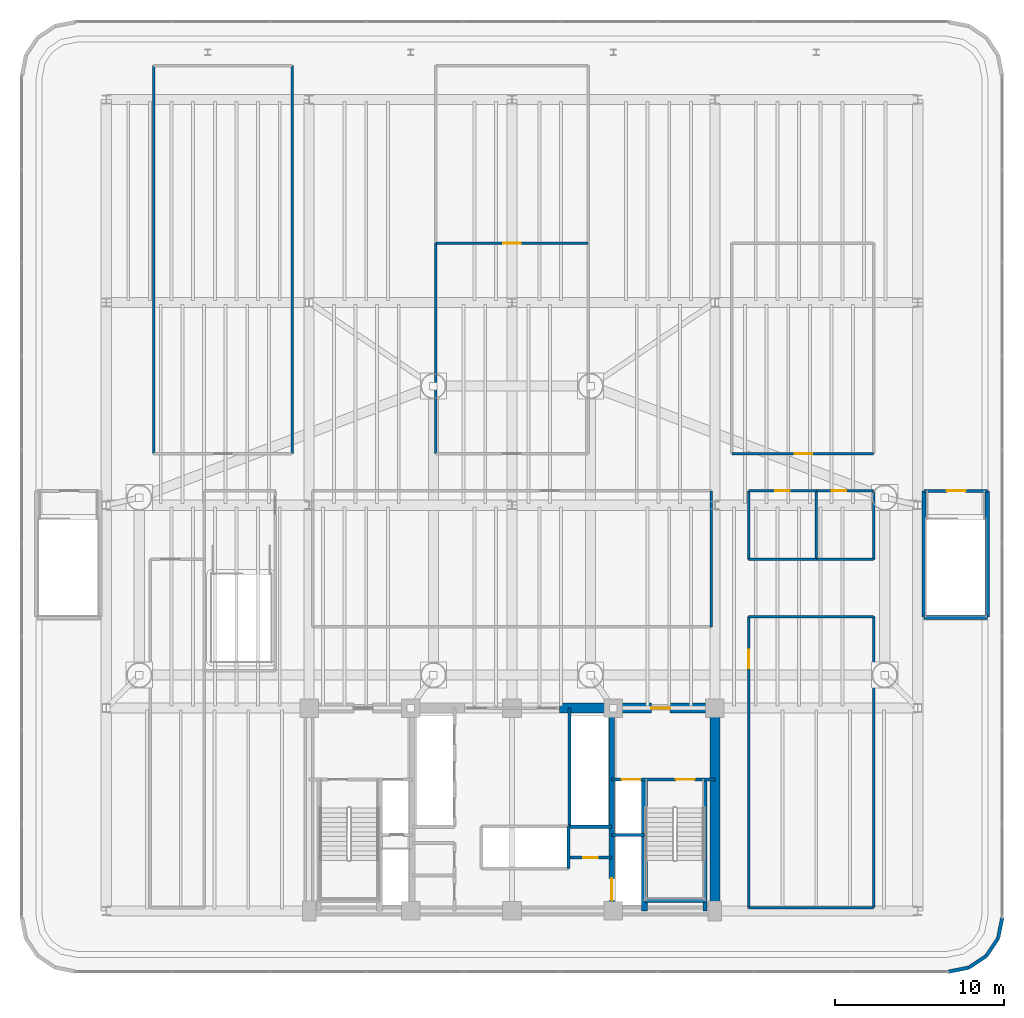
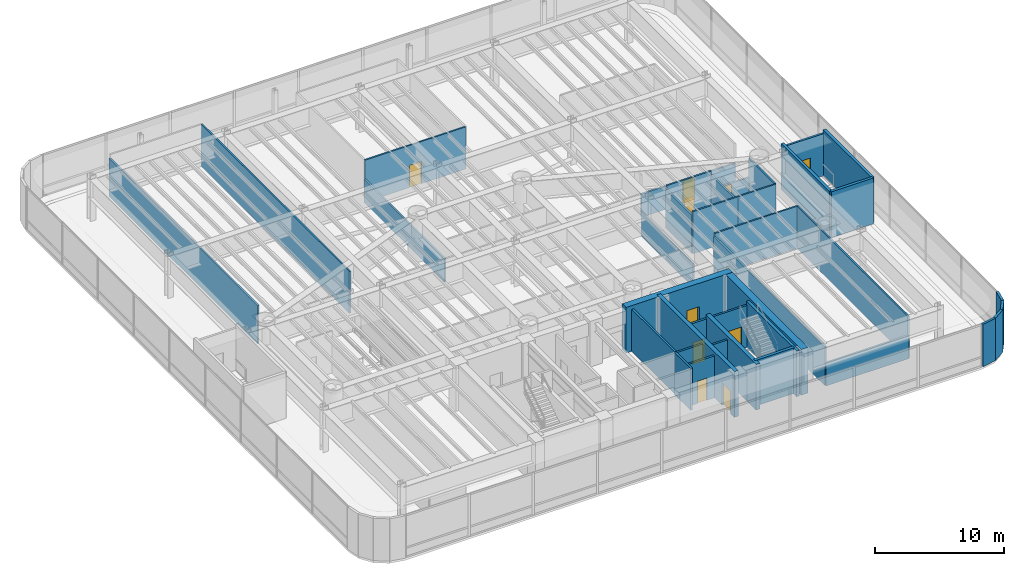
# One storey, part 14 of 18: 37 walls, 11 doors, 11 openings.
"""IFC4 building model written with IfcOpenShell, lengths in metres."""

from ifc_helpers import new_model, si_unit, direction, frame, frame_2d, origin, origin_2d, place, context, subcontext, project, spatial, rectangle, extrude, source, transform, mapped, material, layer, layer_set, type_object, element, fill, save


model = new_model("IFC4")

# Units and contexts
model_context = context("Model", 3, precision=1e-05, world=origin(), true_north=direction((0.0, 1.0)))
body_context = subcontext(model_context, "Body", "Model", "MODEL_VIEW")
ifc_project = project(units=[si_unit("LENGTHUNIT", "METRE"), si_unit("AREAUNIT", "SQUARE_METRE"), si_unit("VOLUMEUNIT", "CUBIC_METRE"), si_unit("PLANEANGLEUNIT", "RADIAN"), si_unit("MASSUNIT", "GRAM", prefix="KILO")], contexts=[model_context])

# Site, building, storey
site_placement = place(None, origin())
site = spatial("IfcSite", under=ifc_project, at=site_placement, CompositionType="ELEMENT")
building_placement = place(site_placement, origin())
building = spatial("IfcBuilding", under=site, at=building_placement, Name="Brelvock Crest Care Tower", CompositionType="ELEMENT")
storey_placement = place(building_placement, frame((0.0, 0.0, 22.679931640625)))
storey = spatial("IfcBuildingStorey", under=building, at=storey_placement, Name="L05", CompositionType="ELEMENT", Elevation=22.679931640625)

# Wall
ifc_material_1 = material(Name="Concrete S80 (80 MPa)", Category="concrete")
ifc_layer_1 = layer(ifc_material_1, 0.60009765625, Name="WL-CS1")
ifc_layer_set_1 = layer_set([ifc_layer_1], Name="Concrete S80 (80 MPa)")
wall_type_1 = type_object("IfcWallType", Name="WL-CS1", PredefinedType="SHEAR", material=ifc_layer_set_1)
wall_1_placement = place(storey_placement, frame((48.0, 18.0, 0.0), z_axis=(0.0, 0.0, 1.0), x_axis=(0.0, -1.0, 0.0)))
element("IfcWall", 1, at=wall_1_placement, inside=storey, type_object=wall_type_1, Name="L05 Core East Shear Wall", PredefinedType="SHEAR", context=body_context, shape_type="SweptSolid", body=[
    extrude(rectangle(XDim=12.0, YDim=0.60009765625, at=frame_2d((6.0, 0.0))), origin(), (0.0, 0.0, 1.0), 4.320068359375),
])

# Wall, opening, door
wall_2_placement = place(storey_placement, frame((38.800048828125, 18.0, 0.0), z_axis=(0.0, 0.0, 1.0), x_axis=(1.0, 0.0, 0.0)))
wall_2 = element("IfcWall", 2, at=wall_2_placement, inside=storey, type_object=wall_type_1, Name="L05 Core North-East Shear Wall", PredefinedType="SHEAR", context=body_context, shape_type="SweptSolid", body=[
    extrude(rectangle(XDim=9.5, YDim=0.60009765625, at=frame_2d((4.75, 0.0))), origin(), (0.0, 0.0, 1.0), 4.320068359375),
])
opening_1_placement = place(wall_2_placement, frame((5.449951171875, 0.0, 0.0)))
opening_1 = element("IfcOpeningElement", 3, at=opening_1_placement, cuts=wall_2, Name="Opening FD-1", PredefinedType="OPENING", context=body_context, shape_type="SweptSolid", body=[
    extrude(rectangle(XDim=1.10009765625, YDim=2.10009765625, at=origin_2d()), frame((0.550048828125, 0.31005859375, 1.050048828125), z_axis=(0.0, -1.0, 0.0), x_axis=(1.0, 0.0, 0.0)), (0.0, 0.0, 1.0), 0.6201171875),
])
ifc_material_2 = material(Name="Steel Grade 350", Category="steel")
door_type_1 = type_object("IfcDoorType", Name="DR-FFL1", OperationType="NOTDEFINED", PredefinedType="DOOR", material=ifc_material_2)
shared_shape_1 = source(origin(), body_context, "Body", "SweptSolid", [
    extrude(rectangle(XDim=1.10009765625, YDim=2.10009765625, at=origin_2d()), frame((0.550048828125, 0.02490234375, 1.050048828125), z_axis=(0.0, -1.0, 0.0), x_axis=(1.0, 0.0, 0.0)), (0.0, 0.0, 1.0), 0.050048828125),
])
door_1_placement = place(opening_1_placement, origin())
door_1 = element("IfcDoor", 4, at=door_1_placement, inside=storey, type_object=door_type_1, Name="L05 Firefighting Lobby FFL-2 Exit Door", OperationType="SINGLE_SWING_RIGHT", OverallHeight=2.10009765625, OverallWidth=1.10009765625, PredefinedType="DOOR", context=body_context, shape_type="MappedRepresentation", body=[
    mapped(shared_shape_1, transform((0.0, 0.0, 0.0), x_axis=(1.0, 0.0, 0.0), y_axis=(0.0, 1.0, 0.0), z_axis=(0.0, 0.0, 1.0), scale=1.0)),
])
fill(opening_1, door_1)

ifc_layer_2 = layer(ifc_material_1, 0.35009765625, Name="WL-CS5")
ifc_layer_set_2 = layer_set([ifc_layer_2], Name="Concrete S80 (80 MPa)")
wall_type_2 = type_object("IfcWallType", Name="WL-CS5", PredefinedType="SHEAR", material=ifc_layer_set_2)
wall_3_placement = place(storey_placement, frame((41.89990234375, 18.0, 0.0), z_axis=(0.0, 0.0, 1.0), x_axis=(0.0, -1.0, 0.0)))
wall_3 = element("IfcWall", 5, at=wall_3_placement, inside=storey, type_object=wall_type_2, Name="L05 Core Internal Web Wall East", PredefinedType="SHEAR", context=body_context, shape_type="SweptSolid", body=[
    extrude(rectangle(XDim=12.0, YDim=0.35009765625, at=frame_2d((6.0, 0.0))), origin(), (0.0, 0.0, 1.0), 4.320068359375),
])
opening_2_placement = place(wall_3_placement, frame((10.080078125, 0.0, 0.0)))
opening_2 = element("IfcOpeningElement", 6, at=opening_2_placement, cuts=wall_3, Name="Opening LD-S", PredefinedType="OPENING", context=body_context, shape_type="SweptSolid", body=[
    extrude(rectangle(XDim=1.300048828125, YDim=2.10009765625, at=origin_2d()), frame((0.64990234375, 0.18505859375, 1.050048828125), z_axis=(0.0, -1.0, 0.0), x_axis=(1.0, 0.0, 0.0)), (0.0, 0.0, 1.0), 0.3701171875),
])
door_type_2 = type_object("IfcDoorType", Name="DR-LDS1", OperationType="NOTDEFINED", PredefinedType="DOOR", material=ifc_material_2)
shared_shape_2 = source(origin(), body_context, "Body", "SweptSolid", [
    extrude(rectangle(XDim=1.300048828125, YDim=2.10009765625, at=origin_2d()), frame((0.64990234375, 0.02490234375, 1.050048828125), z_axis=(0.0, -1.0, 0.0), x_axis=(1.0, 0.0, 0.0)), (0.0, 0.0, 1.0), 0.050048828125),
])
door_2_placement = place(opening_2_placement, origin())
door_2 = element("IfcDoor", 7, at=door_2_placement, inside=storey, type_object=door_type_2, Name="L05 Clinical Bed Lift SL-1 Landing Door", OperationType="SLIDING_TO_LEFT", OverallHeight=2.10009765625, OverallWidth=1.300048828125, PredefinedType="DOOR", context=body_context, shape_type="MappedRepresentation", body=[
    mapped(shared_shape_2, transform((0.0, 0.0, 0.0), x_axis=(1.0, 0.0, 0.0), y_axis=(0.0, 1.0, 0.0), z_axis=(0.0, 0.0, 1.0), scale=1.0)),
])
fill(opening_2, door_2)

# Walls
wall_4_placement = place(storey_placement, frame((43.85009765625, 6.0, 0.0), z_axis=(0.0, 0.0, 1.0), x_axis=(0.0, 1.0, 0.0)))
element("IfcWall", 8, at=wall_4_placement, inside=storey, type_object=wall_type_2, Name="L05 Core Stair ST-2 West Shear Wall", PredefinedType="SHEAR", context=body_context, shape_type="SweptSolid", body=[
    extrude(rectangle(XDim=7.780029296875, YDim=0.35009765625, at=frame_2d((3.89013671875, 0.0))), origin(), (0.0, 0.0, 1.0), 4.320068359375),
])
ifc_layer_3 = layer(ifc_material_1, 0.25, Name="WL-CS6")
ifc_layer_set_3 = layer_set([ifc_layer_3], Name="Concrete S80 (80 MPa)")
wall_type_3 = type_object("IfcWallType", Name="WL-CS6", PredefinedType="SHEAR", material=ifc_layer_set_3)
wall_5_placement = place(storey_placement, frame((60.3798828125, 23.3798828125, 0.0), z_axis=(0.0, 0.0, 1.0), x_axis=(1.0, 0.0, 0.0)))
element("IfcWall", 9, at=wall_5_placement, inside=storey, type_object=wall_type_3, Name="L05 Podium Stair ST-4 South Shear Wall", PredefinedType="SHEAR", context=body_context, shape_type="SweptSolid", body=[
    extrude(rectangle(XDim=3.740234375, YDim=0.25, at=frame_2d((1.8701171875, 0.0))), origin(), (0.0, 0.0, 1.0), 4.320068359375),
])
for number, where, z_axis, x_axis, name in (
    (10, (60.3798828125, 23.3798828125, 0.0), (0.0, 0.0, 1.0), (0.0, 1.0, 0.0), "L05 Podium Stair ST-4 West Shear Wall"),
    (11, (64.1201171875, 23.3798828125, 0.0), (0.0, 0.0, 1.0), (0.0, 1.0, 0.0), "L05 Podium Stair ST-4 East Shear Wall"),
):
    element("IfcWall", number, at=place(storey_placement, frame(where, z_axis=z_axis, x_axis=x_axis)), inside=storey, type_object=wall_type_3, Name=name, PredefinedType="SHEAR", context=body_context, shape_type="SweptSolid", body=[
        extrude(rectangle(XDim=7.47021484375, YDim=0.25, at=frame_2d((3.735107421875, 0.0))), origin(), (0.0, 0.0, 1.0), 4.320068359375),
    ])
wall_6_placement = place(storey_placement, frame((47.419921875, 6.0, 0.0), z_axis=(0.0, 0.0, 1.0), x_axis=(0.0, 1.0, 0.0)))
element("IfcWall", 12, at=wall_6_placement, inside=storey, type_object=wall_type_3, Name="L05 Core Stair ST-2 East Shear Wall", PredefinedType="SHEAR", context=body_context, shape_type="SweptSolid", body=[
    extrude(rectangle(XDim=7.780029296875, YDim=0.25, at=frame_2d((3.89013671875, 0.0))), origin(), (0.0, 0.0, 1.0), 4.320068359375),
])
wall_7_placement = place(storey_placement, frame((43.85009765625, 6.6201171875, 0.0), z_axis=(0.0, 0.0, 1.0), x_axis=(1.0, 0.0, 0.0)))
element("IfcWall", 13, at=wall_7_placement, inside=storey, type_object=wall_type_3, Name="L05 Core Stair ST-2 South Shear Wall", PredefinedType="SHEAR", context=body_context, shape_type="SweptSolid", body=[
    extrude(rectangle(XDim=3.56982421875, YDim=0.25, at=frame_2d((1.784912109375, 0.0))), origin(), (0.0, 0.0, 1.0), 4.320068359375),
])
ifc_material_3 = material(Name="Precast concrete N40 (40 MPa)", Category="concrete")
ifc_layer_4 = layer(ifc_material_3, 0.215087890625, Name="WL-EX2")
ifc_layer_set_4 = layer_set([ifc_layer_4], Name="Precast concrete N40 (40 MPa)")
wall_type_4 = type_object("IfcWallType", Name="WL-EX2", PredefinedType="SOLIDWALL", material=ifc_layer_set_4)
for number, where, z_axis, x_axis, name in (
    (14, (65.0, 5.60009765625, 0.0), (0.0, 0.0, 1.0), (-0.195138390419, -0.980775717779, 0.0), "L05 Rounded Corner Wall 15"),
    (15, (64.75634765625, 4.37548828125, 0.0), (0.0, 0.0, 1.0), (-0.555557312883, -0.831478245117, 0.0), "L05 Rounded Corner Wall 16"),
    (16, (64.062744140625, 3.33740234375, 0.0), (0.0, 0.0, 1.0), (-0.831387912822, -0.555692485475, 0.0), "L05 Rounded Corner Wall 17"),
    (17, (63.024658203125, 2.6435546875, 0.0), (0.0, 0.0, 1.0), (-0.980775717779, -0.195138390419, 0.0), "L05 Rounded Corner Wall 18"),
):
    element("IfcWall", number, at=place(storey_placement, frame(where, z_axis=z_axis, x_axis=x_axis)), inside=storey, type_object=wall_type_4, Name=name, PredefinedType="SOLIDWALL", context=body_context, shape_type="SweptSolid", body=[
        extrude(rectangle(XDim=1.24853515625, YDim=0.215087890625, at=frame_2d((0.624267578125, 0.0))), origin(), (0.0, 0.0, 1.0), 4.0),
    ])
ifc_material_4 = material(Name="Masonry Blockwork Acoustic Partition", Category="masonry")
ifc_layer_5 = layer(ifc_material_4, 0.14990234375, Name="WL-INT1")
ifc_layer_set_5 = layer_set([ifc_layer_5], Name="Masonry Blockwork Acoustic Partition")
wall_type_5 = type_object("IfcWallType", Name="WL-INT1", PredefinedType="PARTITIONING", material=ifc_layer_set_5)
wall_8_placement = place(storey_placement, frame((50.0, 6.199951171875, 0.0), z_axis=(0.0, 0.0, 1.0), x_axis=(1.0, 0.0, 0.0)))
element("IfcWall", 18, at=wall_8_placement, inside=storey, type_object=wall_type_5, Name="L05 Interior Wall WL-BX-L05-EPL-S", PredefinedType="PARTITIONING", context=body_context, shape_type="SweptSolid", body=[
    extrude(rectangle(XDim=7.39990234375, YDim=0.14990234375, at=frame_2d((3.699951171875, 0.0))), origin(), (0.0, 0.0, 1.0), 2.18505859375),
])
wall_9_placement = place(storey_placement, frame((50.0, 23.409912109375, 0.0), z_axis=(0.0, 0.0, 1.0), x_axis=(1.0, 0.0, 0.0)))
element("IfcWall", 19, at=wall_9_placement, inside=storey, type_object=wall_type_5, Name="L05 Interior Wall WL-BX-L05-EPL-N", PredefinedType="PARTITIONING", context=body_context, shape_type="SweptSolid", body=[
    extrude(rectangle(XDim=7.39990234375, YDim=0.14990234375, at=frame_2d((3.699951171875, 0.0))), origin(), (0.0, 0.0, 1.0), 3.969970703125),
])
wall_10_placement = place(storey_placement, frame((54.0, 26.800048828125, 0.0), z_axis=(0.0, 0.0, 1.0), x_axis=(1.0, 0.0, 0.0)))
element("IfcWall", 20, at=wall_10_placement, inside=storey, type_object=wall_type_5, Name="L05 Interior Wall WL-BX-L05-TEA-S", PredefinedType="PARTITIONING", context=body_context, shape_type="SweptSolid", body=[
    extrude(rectangle(XDim=3.39990234375, YDim=0.14990234375, at=frame_2d((1.699951171875, 0.0))), origin(), (0.0, 0.0, 1.0), 3.969970703125),
])

# Wall, opening, door
wall_11_placement = place(storey_placement, frame((54.0, 30.85009765625, 0.0), z_axis=(0.0, 0.0, 1.0), x_axis=(1.0, 0.0, 0.0)))
wall_11 = element("IfcWall", 21, at=wall_11_placement, inside=storey, type_object=wall_type_5, Name="L05 Interior Wall WL-RM-L05-TEA", PredefinedType="PARTITIONING", context=body_context, shape_type="SweptSolid", body=[
    extrude(rectangle(XDim=3.39990234375, YDim=0.14990234375, at=frame_2d((1.699951171875, 0.0))), origin(), (0.0, 0.0, 1.0), 2.18505859375),
])
opening_3_placement = place(wall_11_placement, frame((0.919921875, 0.0, 0.0)))
opening_3 = element("IfcOpeningElement", 22, at=opening_3_placement, cuts=wall_11, Name="Opening ID-1", PredefinedType="OPENING", context=body_context, shape_type="SweptSolid", body=[
    extrude(rectangle(XDim=0.860107421875, YDim=2.10009765625, at=origin_2d()), frame((0.43017578125, 0.0849609375, 1.050048828125), z_axis=(0.0, -1.0, 0.0), x_axis=(1.0, 0.0, 0.0)), (0.0, 0.0, 1.0), 0.169921875),
])
ifc_material_5 = material(Name="Engineered Hardwood Timber", Category="wood")
door_type_3 = type_object("IfcDoorType", Name="DR-INT1", OperationType="NOTDEFINED", PredefinedType="DOOR", material=ifc_material_5)
shared_shape_3 = source(origin(), body_context, "Body", "SweptSolid", [
    extrude(rectangle(XDim=0.860107421875, YDim=2.10009765625, at=origin_2d()), frame((0.43017578125, 0.02490234375, 1.050048828125), z_axis=(0.0, -1.0, 0.0), x_axis=(1.0, 0.0, 0.0)), (0.0, 0.0, 1.0), 0.050048828125),
])
door_3_placement = place(opening_3_placement, origin())
door_3 = element("IfcDoor", 23, at=door_3_placement, inside=storey, type_object=door_type_3, Name="L05 Staff Breakout Pantry Door TEA", OperationType="SINGLE_SWING_LEFT", OverallHeight=2.10009765625, OverallWidth=0.860107421875, PredefinedType="DOOR", context=body_context, shape_type="MappedRepresentation", body=[
    mapped(shared_shape_3, transform((0.0, 0.0, 0.0), x_axis=(1.0, 0.0, 0.0), y_axis=(0.0, 1.0, 0.0), z_axis=(0.0, 0.0, 1.0), scale=1.0)),
])
fill(opening_3, door_3)

wall_12_placement = place(storey_placement, frame((49.0, 33.050048828125, 0.0), z_axis=(0.0, 0.0, 1.0), x_axis=(1.0, 0.0, 0.0)))
wall_12 = element("IfcWall", 24, at=wall_12_placement, inside=storey, type_object=wall_type_5, Name="L05 Interior Wall WL-RM-L05-OFF2", PredefinedType="PARTITIONING", context=body_context, shape_type="SweptSolid", body=[
    extrude(rectangle(XDim=8.39990234375, YDim=0.14990234375, at=frame_2d((4.199951171875, 0.0))), origin(), (0.0, 0.0, 1.0), 2.18505859375),
])
opening_4_placement = place(wall_12_placement, frame((3.72509765625, 0.0, 0.0)))
opening_4 = element("IfcOpeningElement", 25, at=opening_4_placement, cuts=wall_12, Name="Opening CLD-1", PredefinedType="OPENING", context=body_context, shape_type="SweptSolid", body=[
    extrude(rectangle(XDim=1.050048828125, YDim=2.10009765625, at=origin_2d()), frame((0.52490234375, 0.0849609375, 1.050048828125), z_axis=(0.0, -1.0, 0.0), x_axis=(1.0, 0.0, 0.0)), (0.0, 0.0, 1.0), 0.169921875),
])
door_type_4 = type_object("IfcDoorType", Name="DR-CLN1", OperationType="NOTDEFINED", PredefinedType="DOOR", material=ifc_material_5)
shared_shape_4 = source(origin(), body_context, "Body", "SweptSolid", [
    extrude(rectangle(XDim=1.050048828125, YDim=2.10009765625, at=origin_2d()), frame((0.52490234375, 0.02490234375, 1.050048828125), z_axis=(0.0, -1.0, 0.0), x_axis=(1.0, 0.0, 0.0)), (0.0, 0.0, 1.0), 0.050048828125),
])
door_4_placement = place(opening_4_placement, origin())
door_4 = element("IfcDoor", 26, at=door_4_placement, inside=storey, type_object=door_type_4, Name="L05 Nursing Rostering and Records Door OFF2", OperationType="SINGLE_SWING_LEFT", OverallHeight=2.10009765625, OverallWidth=1.050048828125, PredefinedType="DOOR", context=body_context, shape_type="MappedRepresentation", body=[
    mapped(shared_shape_4, transform((0.0, 0.0, 0.0), x_axis=(1.0, 0.0, 0.0), y_axis=(0.0, 1.0, 0.0), z_axis=(0.0, 0.0, 1.0), scale=1.0)),
])
fill(opening_4, door_4)

wall_13_placement = place(storey_placement, frame((31.5, 45.5, 0.0), z_axis=(0.0, 0.0, 1.0), x_axis=(1.0, 0.0, 0.0)))
wall_13 = element("IfcWall", 27, at=wall_13_placement, inside=storey, type_object=wall_type_5, Name="L05 Interior Wall WL-RM-L05-OFF3", PredefinedType="PARTITIONING", context=body_context, shape_type="SweptSolid", body=[
    extrude(rectangle(XDim=9.0, YDim=0.14990234375, at=frame_2d((4.5, 0.0))), origin(), (0.0, 0.0, 1.0), 3.969970703125),
])
opening_5_placement = place(wall_13_placement, frame((3.97509765625, 0.0, 0.0)))
opening_5 = element("IfcOpeningElement", 28, at=opening_5_placement, cuts=wall_13, Name="Opening CLD-1", PredefinedType="OPENING", context=body_context, shape_type="SweptSolid", body=[
    extrude(rectangle(XDim=1.050048828125, YDim=2.10009765625, at=origin_2d()), frame((0.52490234375, 0.0849609375, 1.050048828125), z_axis=(0.0, -1.0, 0.0), x_axis=(1.0, 0.0, 0.0)), (0.0, 0.0, 1.0), 0.169921875),
])
door_5_placement = place(opening_5_placement, origin())
door_5 = element("IfcDoor", 29, at=door_5_placement, inside=storey, type_object=door_type_4, Name="L05 Research and Simulation Salon Door OFF3", OperationType="SINGLE_SWING_LEFT", OverallHeight=2.10009765625, OverallWidth=1.050048828125, PredefinedType="DOOR", context=body_context, shape_type="MappedRepresentation", body=[
    mapped(shared_shape_4, transform((0.0, 0.0, 0.0), x_axis=(1.0, 0.0, 0.0), y_axis=(0.0, 1.0, 0.0), z_axis=(0.0, 0.0, 1.0), scale=1.0)),
])
fill(opening_5, door_5)

# Walls
wall_14_placement = place(storey_placement, frame((14.800048828125, 33.050048828125, 0.0), z_axis=(0.0, 0.0, 1.0), x_axis=(0.0, 1.0, 0.0)))
element("IfcWall", 30, at=wall_14_placement, inside=storey, type_object=wall_type_5, Name="L05 Interior Wall WL-BX-L05-AUD-W", PredefinedType="PARTITIONING", context=body_context, shape_type="SweptSolid", body=[
    extrude(rectangle(XDim=22.949951171875, YDim=0.14990234375, at=frame_2d((11.47509765625, 0.0))), origin(), (0.0, 0.0, 1.0), 3.6259765625),
])
wall_15_placement = place(storey_placement, frame((23.0, 33.050048828125, 0.0), z_axis=(0.0, 0.0, 1.0), x_axis=(0.0, 1.0, 0.0)))
element("IfcWall", 31, at=wall_15_placement, inside=storey, type_object=wall_type_5, Name="L05 Interior Wall WL-BX-L05-AUD-E", PredefinedType="PARTITIONING", context=body_context, shape_type="SweptSolid", body=[
    extrude(rectangle(XDim=22.949951171875, YDim=0.14990234375, at=frame_2d((11.47509765625, 0.0))), origin(), (0.0, 0.0, 1.0), 3.969970703125),
])
wall_16_placement = place(storey_placement, frame((31.5, 33.050048828125, 0.0), z_axis=(0.0, 0.0, 1.0), x_axis=(0.0, 1.0, 0.0)))
element("IfcWall", 32, at=wall_16_placement, inside=storey, type_object=wall_type_5, Name="L05 Interior Wall WL-BX-L05-OFF1-W", PredefinedType="PARTITIONING", context=body_context, shape_type="SweptSolid", body=[
    extrude(rectangle(XDim=12.449951171875, YDim=0.14990234375, at=frame_2d((6.22509765625, 0.0))), origin(), (0.0, 0.0, 1.0), 2.18505859375),
])
wall_17_placement = place(storey_placement, frame((47.800048828125, 22.800048828125, 0.0), z_axis=(0.0, 0.0, 1.0), x_axis=(0.0, 1.0, 0.0)))
element("IfcWall", 33, at=wall_17_placement, inside=storey, type_object=wall_type_5, Name="L05 Interior Wall WL-BX-L05-BRD-E", PredefinedType="PARTITIONING", context=body_context, shape_type="SweptSolid", body=[
    extrude(rectangle(XDim=8.050048828125, YDim=0.14990234375, at=frame_2d((4.02490234375, 0.0))), origin(), (0.0, 0.0, 1.0), 2.18505859375),
])

# Wall, opening, door
wall_18_placement = place(storey_placement, frame((50.0, 6.199951171875, 0.0), z_axis=(0.0, 0.0, 1.0), x_axis=(0.0, 1.0, 0.0)))
wall_18 = element("IfcWall", 34, at=wall_18_placement, inside=storey, type_object=wall_type_5, Name="L05 Interior Wall WL-RM-L05-EPL", PredefinedType="PARTITIONING", context=body_context, shape_type="SweptSolid", body=[
    extrude(rectangle(XDim=17.2099609375, YDim=0.14990234375, at=frame_2d((8.60498046875, 0.0))), origin(), (0.0, 0.0, 1.0), 3.677978515625),
])
opening_6_placement = place(wall_18_placement, frame((14.14990234375, 0.0, 0.0)))
opening_6 = element("IfcOpeningElement", 35, at=opening_6_placement, cuts=wall_18, Name="Opening PD-1", PredefinedType="OPENING", context=body_context, shape_type="SweptSolid", body=[
    extrude(rectangle(XDim=1.10009765625, YDim=2.10009765625, at=origin_2d()), frame((0.550048828125, 0.0849609375, 1.050048828125), z_axis=(0.0, -1.0, 0.0), x_axis=(1.0, 0.0, 0.0)), (0.0, 0.0, 1.0), 0.169921875),
])
door_type_5 = type_object("IfcDoorType", Name="DR-PLT1", OperationType="NOTDEFINED", PredefinedType="DOOR", material=ifc_material_2)
shared_shape_5 = source(origin(), body_context, "Body", "SweptSolid", [
    extrude(rectangle(XDim=1.10009765625, YDim=2.10009765625, at=origin_2d()), frame((0.550048828125, 0.02490234375, 1.050048828125), z_axis=(0.0, -1.0, 0.0), x_axis=(1.0, 0.0, 0.0)), (0.0, 0.0, 1.0), 0.050048828125),
])
door_6_placement = place(opening_6_placement, origin())
door_6 = element("IfcDoor", 36, at=door_6_placement, inside=storey, type_object=door_type_5, Name="L05 Transfer Level Switchroom Door EPL", OperationType="SINGLE_SWING_LEFT", OverallHeight=2.10009765625, OverallWidth=1.10009765625, PredefinedType="DOOR", context=body_context, shape_type="MappedRepresentation", body=[
    mapped(shared_shape_5, transform((0.0, 0.0, 0.0), x_axis=(1.0, 0.0, 0.0), y_axis=(0.0, 1.0, 0.0), z_axis=(0.0, 0.0, 1.0), scale=1.0)),
])
fill(opening_6, door_6)

# Walls
wall_19_placement = place(storey_placement, frame((57.39990234375, 6.199951171875, 0.0), z_axis=(0.0, 0.0, 1.0), x_axis=(0.0, 1.0, 0.0)))
element("IfcWall", 37, at=wall_19_placement, inside=storey, type_object=wall_type_5, Name="L05 Interior Wall WL-BX-L05-EPL-E", PredefinedType="PARTITIONING", context=body_context, shape_type="SweptSolid", body=[
    extrude(rectangle(XDim=17.2099609375, YDim=0.14990234375, at=frame_2d((8.60498046875, 0.0))), origin(), (0.0, 0.0, 1.0), 3.969970703125),
])
wall_20_placement = place(storey_placement, frame((57.39990234375, 26.800048828125, 0.0), z_axis=(0.0, 0.0, 1.0), x_axis=(0.0, 1.0, 0.0)))
element("IfcWall", 38, at=wall_20_placement, inside=storey, type_object=wall_type_5, Name="L05 Interior Wall WL-BX-L05-TEA-E", PredefinedType="PARTITIONING", context=body_context, shape_type="SweptSolid", body=[
    extrude(rectangle(XDim=4.050048828125, YDim=0.14990234375, at=frame_2d((2.02490234375, 0.0))), origin(), (0.0, 0.0, 1.0), 3.969970703125),
])
ifc_material_6 = material(Name="Gypsum Plasterboard Partition", Category="gypsum")
ifc_layer_6 = layer(ifc_material_6, 0.159912109375, Name="WL-PLM1")
ifc_layer_set_6 = layer_set([ifc_layer_6], Name="Gypsum Plasterboard Partition")
wall_type_6 = type_object("IfcWallType", Name="WL-PLM1", PredefinedType="PLUMBINGWALL", material=ifc_layer_set_6)
wall_21_placement = place(storey_placement, frame((50.0, 26.800048828125, 0.0), z_axis=(0.0, 0.0, 1.0), x_axis=(1.0, 0.0, 0.0)))
element("IfcWall", 39, at=wall_21_placement, inside=storey, type_object=wall_type_6, Name="L05 Interior Wall WL-BX-L05-AWC-S", PredefinedType="PLUMBINGWALL", context=body_context, shape_type="SweptSolid", body=[
    extrude(rectangle(XDim=4.0, YDim=0.159912109375, at=frame_2d((2.0, 0.0))), origin(), (0.0, 0.0, 1.0), 3.969970703125),
])

# Wall, opening, door
wall_22_placement = place(storey_placement, frame((50.0, 30.85009765625, 0.0), z_axis=(0.0, 0.0, 1.0), x_axis=(1.0, 0.0, 0.0)))
wall_22 = element("IfcWall", 40, at=wall_22_placement, inside=storey, type_object=wall_type_6, Name="L05 Interior Wall WL-RM-L05-AWC", PredefinedType="PLUMBINGWALL", context=body_context, shape_type="SweptSolid", body=[
    extrude(rectangle(XDim=4.0, YDim=0.159912109375, at=frame_2d((2.0, 0.0))), origin(), (0.0, 0.0, 1.0), 3.969970703125),
])
opening_7_placement = place(wall_22_placement, frame((1.570068359375, 0.0, 0.0)))
opening_7 = element("IfcOpeningElement", 41, at=opening_7_placement, cuts=wall_22, Name="Opening WD-1", PredefinedType="OPENING", context=body_context, shape_type="SweptSolid", body=[
    extrude(rectangle(XDim=0.860107421875, YDim=2.10009765625, at=origin_2d()), frame((0.43017578125, 0.08984375, 1.050048828125), z_axis=(0.0, -1.0, 0.0), x_axis=(1.0, 0.0, 0.0)), (0.0, 0.0, 1.0), 0.179931640625),
])
door_type_6 = type_object("IfcDoorType", Name="DR-WC1", OperationType="NOTDEFINED", PredefinedType="DOOR", material=ifc_material_5)
shared_shape_6 = source(origin(), body_context, "Body", "SweptSolid", [
    extrude(rectangle(XDim=0.860107421875, YDim=2.10009765625, at=origin_2d()), frame((0.43017578125, 0.02490234375, 1.050048828125), z_axis=(0.0, -1.0, 0.0), x_axis=(1.0, 0.0, 0.0)), (0.0, 0.0, 1.0), 0.050048828125),
])
door_7_placement = place(opening_7_placement, origin())
door_7 = element("IfcDoor", 42, at=door_7_placement, inside=storey, type_object=door_type_6, Name="L05 Administration Accessible WC Door AWC", OperationType="SINGLE_SWING_LEFT", OverallHeight=2.10009765625, OverallWidth=0.860107421875, PredefinedType="DOOR", context=body_context, shape_type="MappedRepresentation", body=[
    mapped(shared_shape_6, transform((0.0, 0.0, 0.0), x_axis=(1.0, 0.0, 0.0), y_axis=(0.0, 1.0, 0.0), z_axis=(0.0, 0.0, 1.0), scale=1.0)),
])
fill(opening_7, door_7)

# Walls
for number, where, z_axis, x_axis, name in (
    (43, (50.0, 26.800048828125, 0.0), (0.0, 0.0, 1.0), (0.0, 1.0, 0.0), "L05 Interior Wall WL-BX-L05-AWC-W"),
    (44, (54.0, 26.800048828125, 0.0), (0.0, 0.0, 1.0), (0.0, 1.0, 0.0), "L05 Interior Wall WL-BX-L05-AWC-E"),
):
    element("IfcWall", number, at=place(storey_placement, frame(where, z_axis=z_axis, x_axis=x_axis)), inside=storey, type_object=wall_type_6, Name=name, PredefinedType="PLUMBINGWALL", context=body_context, shape_type="SweptSolid", body=[
        extrude(rectangle(XDim=4.050048828125, YDim=0.159912109375, at=frame_2d((2.02490234375, 0.0))), origin(), (0.0, 0.0, 1.0), 3.6259765625),
    ])

# Wall, opening, door
ifc_layer_7 = layer(ifc_material_4, 0.179931640625, Name="WL-SHF1")
ifc_layer_set_7 = layer_set([ifc_layer_7], Name="Masonry Blockwork Acoustic Partition")
wall_type_7 = type_object("IfcWallType", Name="WL-SHF1", PredefinedType="PARTITIONING", material=ifc_layer_set_7)
wall_23_placement = place(storey_placement, frame((60.3798828125, 30.85009765625, 0.0), z_axis=(0.0, 0.0, 1.0), x_axis=(1.0, 0.0, 0.0)))
wall_23 = element("IfcWall", 45, at=wall_23_placement, inside=storey, type_object=wall_type_7, Name="L05 Interior Wall WL-ST4-N-L05", PredefinedType="PARTITIONING", context=body_context, shape_type="SweptSolid", body=[
    extrude(rectangle(XDim=3.740234375, YDim=0.179931640625, at=frame_2d((1.8701171875, 0.0))), origin(), (0.0, 0.0, 1.0), 4.0),
])
opening_8_placement = place(wall_23_placement, frame((1.35009765625, 0.0, 0.0)))
opening_8 = element("IfcOpeningElement", 46, at=opening_8_placement, cuts=wall_23, Name="Opening SD-1", PredefinedType="OPENING", context=body_context, shape_type="SweptSolid", body=[
    extrude(rectangle(XDim=1.10009765625, YDim=2.10009765625, at=origin_2d()), frame((0.550048828125, 0.10009765625, 1.050048828125), z_axis=(0.0, -1.0, 0.0), x_axis=(1.0, 0.0, 0.0)), (0.0, 0.0, 1.0), 0.199951171875),
])
door_type_7 = type_object("IfcDoorType", Name="DR-ST1", OperationType="NOTDEFINED", PredefinedType="DOOR", material=ifc_material_2)
shared_shape_7 = source(origin(), body_context, "Body", "SweptSolid", [
    extrude(rectangle(XDim=1.10009765625, YDim=2.10009765625, at=origin_2d()), frame((0.550048828125, 0.02490234375, 1.050048828125), z_axis=(0.0, -1.0, 0.0), x_axis=(1.0, 0.0, 0.0)), (0.0, 0.0, 1.0), 0.050048828125),
])
door_8_placement = place(opening_8_placement, origin())
door_8 = element("IfcDoor", 47, at=door_8_placement, inside=storey, type_object=door_type_7, Name="L05 Podium Stair ST-4 Door", OperationType="SINGLE_SWING_RIGHT", OverallHeight=2.10009765625, OverallWidth=1.10009765625, PredefinedType="DOOR", context=body_context, shape_type="MappedRepresentation", body=[
    mapped(shared_shape_7, transform((0.0, 0.0, 0.0), x_axis=(1.0, 0.0, 0.0), y_axis=(0.0, 1.0, 0.0), z_axis=(0.0, 0.0, 1.0), scale=1.0)),
])
fill(opening_8, door_8)

# Walls
wall_24_placement = place(storey_placement, frame((39.35009765625, 8.5, 0.0), z_axis=(0.0, 0.0, 1.0), x_axis=(0.0, 1.0, 0.0)))
element("IfcWall", 48, at=wall_24_placement, inside=storey, type_object=wall_type_7, Name="L05 Interior Wall WL-PLM-E-L05", PredefinedType="PARTITIONING", context=body_context, shape_type="SweptSolid", body=[
    extrude(rectangle(XDim=2.5, YDim=0.179931640625, at=frame_2d((1.25, 0.0))), origin(), (0.0, 0.0, 1.0), 3.969970703125),
])
wall_25_placement = place(storey_placement, frame((39.39990234375, 11.0, 0.0), z_axis=(0.0, 0.0, 1.0), x_axis=(0.0, 1.0, 0.0)))
element("IfcWall", 49, at=wall_25_placement, inside=storey, type_object=wall_type_7, Name="L05 Interior Wall WL-PLH-SHF-L05", PredefinedType="PARTITIONING", context=body_context, shape_type="SweptSolid", body=[
    extrude(rectangle(XDim=7.0, YDim=0.179931640625, at=frame_2d((3.5, 0.0))), origin(), (0.0, 0.0, 1.0), 3.969970703125),
])
wall_26_placement = place(storey_placement, frame((39.35009765625, 10.97998046875, 0.0), z_axis=(0.0, 0.0, 1.0), x_axis=(1.0, 0.0, 0.0)))
element("IfcWall", 50, at=wall_26_placement, inside=storey, type_object=wall_type_7, Name="L05 Interior Wall WL-CSBE-N-L05", PredefinedType="PARTITIONING", context=body_context, shape_type="SweptSolid", body=[
    extrude(rectangle(XDim=2.5498046875, YDim=0.179931640625, at=frame_2d((1.27490234375, 0.0))), origin(), (0.0, 0.0, 1.0), 3.969970703125),
])

# Wall, opening, door
wall_27_placement = place(storey_placement, frame((39.35009765625, 9.14990234375, 0.0), z_axis=(0.0, 0.0, 1.0), x_axis=(1.0, 0.0, 0.0)))
wall_27 = element("IfcWall", 51, at=wall_27_placement, inside=storey, type_object=wall_type_7, Name="L05 Interior Wall WL-CSBE-S-L05", PredefinedType="PARTITIONING", context=body_context, shape_type="SweptSolid", body=[
    extrude(rectangle(XDim=2.5498046875, YDim=0.179931640625, at=frame_2d((1.27490234375, 0.0))), origin(), (0.0, 0.0, 1.0), 3.969970703125),
])
opening_9_placement = place(wall_27_placement, frame((0.85009765625, 0.0, 0.0)))
opening_9 = element("IfcOpeningElement", 52, at=opening_9_placement, cuts=wall_27, Name="Opening ID-1", PredefinedType="OPENING", context=body_context, shape_type="SweptSolid", body=[
    extrude(rectangle(XDim=0.860107421875, YDim=2.10009765625, at=origin_2d()), frame((0.43017578125, 0.10009765625, 1.050048828125), z_axis=(0.0, -1.0, 0.0), x_axis=(1.0, 0.0, 0.0)), (0.0, 0.0, 1.0), 0.199951171875),
])
door_9_placement = place(opening_9_placement, origin())
door_9 = element("IfcDoor", 53, at=door_9_placement, inside=storey, type_object=door_type_3, Name="DR-CSBE-L05", OperationType="SINGLE_SWING_LEFT", OverallHeight=2.10009765625, OverallWidth=0.860107421875, PredefinedType="DOOR", context=body_context, shape_type="MappedRepresentation", body=[
    mapped(shared_shape_3, transform((0.0, 0.0, 0.0), x_axis=(1.0, 0.0, 0.0), y_axis=(0.0, 1.0, 0.0), z_axis=(0.0, 0.0, 1.0), scale=1.0)),
])
fill(opening_9, door_9)

# Wall, openings, doors
wall_28_placement = place(storey_placement, frame((41.89990234375, 13.780029296875, 0.0), z_axis=(0.0, 0.0, 1.0), x_axis=(1.0, 0.0, 0.0)))
wall_28 = element("IfcWall", 54, at=wall_28_placement, inside=storey, type_object=wall_type_7, Name="L05 Interior Wall WL-ST2-N-L05", PredefinedType="PARTITIONING", context=body_context, shape_type="SweptSolid", body=[
    extrude(rectangle(XDim=6.10009765625, YDim=0.179931640625, at=frame_2d((3.050048828125, 0.0))), origin(), (0.0, 0.0, 1.0), 3.969970703125),
])
opening_10_placement = place(wall_28_placement, frame((0.60009765625, 0.0, 0.0)))
opening_10 = element("IfcOpeningElement", 55, at=opening_10_placement, cuts=wall_28, Name="Opening LD", PredefinedType="OPENING", context=body_context, shape_type="SweptSolid", body=[
    extrude(rectangle(XDim=1.10009765625, YDim=2.10009765625, at=origin_2d()), frame((0.550048828125, 0.10009765625, 1.050048828125), z_axis=(0.0, -1.0, 0.0), x_axis=(1.0, 0.0, 0.0)), (0.0, 0.0, 1.0), 0.199951171875),
])
opening_11_placement = place(wall_28_placement, frame((3.800048828125, 0.0, 0.0)))
opening_11 = element("IfcOpeningElement", 56, at=opening_11_placement, cuts=wall_28, Name="Opening SD-1", PredefinedType="OPENING", context=body_context, shape_type="SweptSolid", body=[
    extrude(rectangle(XDim=1.10009765625, YDim=2.10009765625, at=origin_2d()), frame((0.550048828125, 0.10009765625, 1.050048828125), z_axis=(0.0, -1.0, 0.0), x_axis=(1.0, 0.0, 0.0)), (0.0, 0.0, 1.0), 0.199951171875),
])
door_10_placement = place(opening_11_placement, origin())
door_10 = element("IfcDoor", 57, at=door_10_placement, inside=storey, type_object=door_type_7, Name="L05 Fire Stair ST-2 Door", OperationType="SINGLE_SWING_RIGHT", OverallHeight=2.10009765625, OverallWidth=1.10009765625, PredefinedType="DOOR", context=body_context, shape_type="MappedRepresentation", body=[
    mapped(shared_shape_7, transform((0.0, 0.0, 0.0), x_axis=(1.0, 0.0, 0.0), y_axis=(0.0, 1.0, 0.0), z_axis=(0.0, 0.0, 1.0), scale=1.0)),
])
fill(opening_11, door_10)
door_type_8 = type_object("IfcDoorType", Name="DR-LD1", OperationType="NOTDEFINED", PredefinedType="DOOR", material=ifc_material_2)
shared_shape_8 = source(origin(), body_context, "Body", "SweptSolid", [
    extrude(rectangle(XDim=1.10009765625, YDim=2.10009765625, at=origin_2d()), frame((0.550048828125, 0.02490234375, 1.050048828125), z_axis=(0.0, -1.0, 0.0), x_axis=(1.0, 0.0, 0.0)), (0.0, 0.0, 1.0), 0.050048828125),
])
door_11_placement = place(opening_10_placement, origin())
door_11 = element("IfcDoor", 58, at=door_11_placement, inside=storey, type_object=door_type_8, Name="L05 Firefighting Lift FFL-2 Landing Door", OperationType="SLIDING_TO_RIGHT", OverallHeight=2.10009765625, OverallWidth=1.10009765625, PredefinedType="DOOR", context=body_context, shape_type="MappedRepresentation", body=[
    mapped(shared_shape_8, transform((0.0, 0.0, 0.0), x_axis=(1.0, 0.0, 0.0), y_axis=(0.0, 1.0, 0.0), z_axis=(0.0, 0.0, 1.0), scale=1.0)),
])
fill(opening_10, door_11)

# Wall
wall_29_placement = place(storey_placement, frame((41.89990234375, 10.5, 0.0), z_axis=(0.0, 0.0, 1.0), x_axis=(1.0, 0.0, 0.0)))
element("IfcWall", 59, at=wall_29_placement, inside=storey, type_object=wall_type_7, Name="L05 Interior Wall WL-FFH2-S-L05", PredefinedType="PARTITIONING", context=body_context, shape_type="SweptSolid", body=[
    extrude(rectangle(XDim=1.9501953125, YDim=0.179931640625, at=frame_2d((0.97509765625, 0.0))), origin(), (0.0, 0.0, 1.0), 3.969970703125),
])

save(model, "model.ifc")
